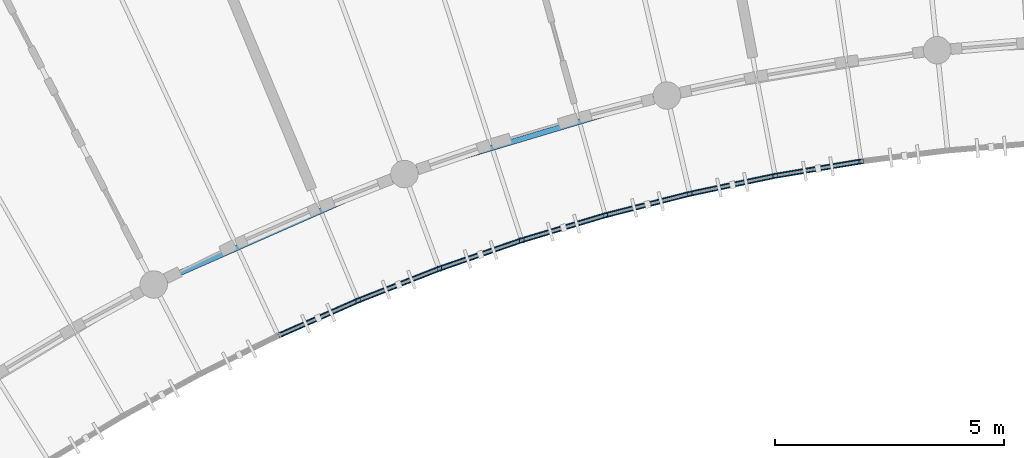
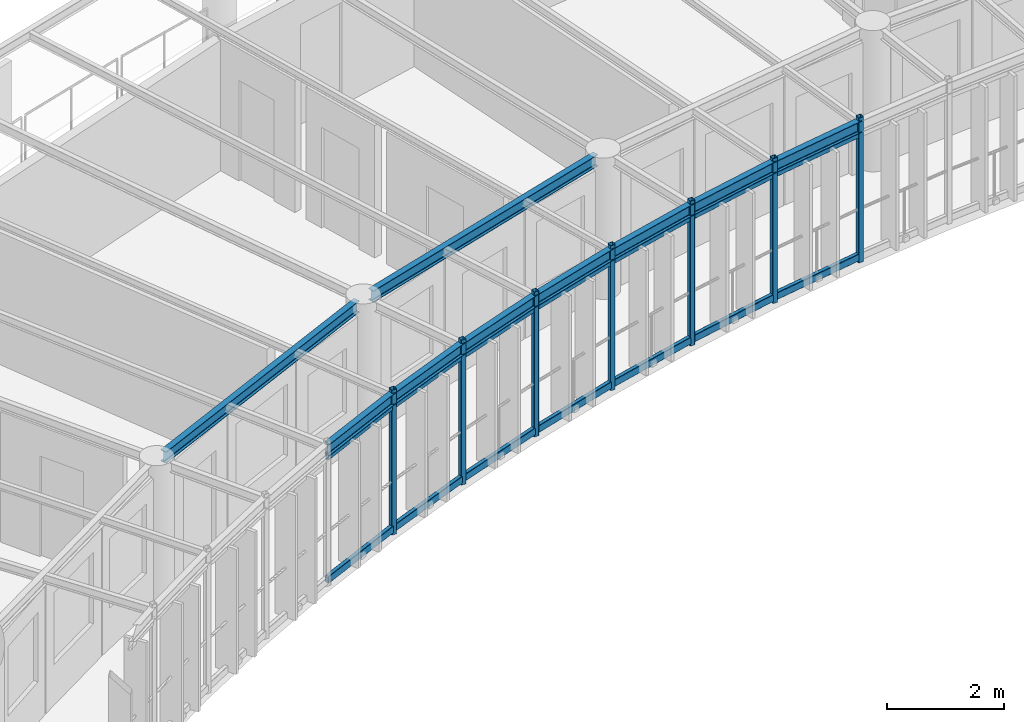
# One storey, part 28 of 100: 21 members, 9 beams.
"""IFC4 building model written with IfcOpenShell, lengths in metres."""

from ifc_helpers import new_model, si_unit, direction, frame, origin, origin_2d, place, context, subcontext, project, spatial, hollow_rectangle, i_section, extrude, material, material_profile, profile_set, type_object, element, save


model = new_model("IFC4")

# Units and contexts
model_context = context("Model", 3, precision=1e-05, world=origin(), true_north=direction((0.0, 1.0)))
body_context = subcontext(model_context, "Body", "Model", "MODEL_VIEW")
ifc_project = project(units=[si_unit("LENGTHUNIT", "METRE"), si_unit("AREAUNIT", "SQUARE_METRE"), si_unit("VOLUMEUNIT", "CUBIC_METRE"), si_unit("PLANEANGLEUNIT", "RADIAN"), si_unit("MASSUNIT", "GRAM", prefix="KILO"), si_unit("POWERUNIT", "WATT"), si_unit("THERMODYNAMICTEMPERATUREUNIT", "KELVIN")], contexts=[model_context])

# Site, building, storey
site_placement = place(None, origin())
site = spatial("IfcSite", under=ifc_project, at=site_placement, CompositionType="ELEMENT")
building_placement = place(site_placement, origin())
building = spatial("IfcBuilding", under=site, at=building_placement, Name="Ruvembo Vaulted Housing Court", CompositionType="ELEMENT")
storey_placement = place(building_placement, frame((0.0, 0.0, 14.10009765625)))
storey = spatial("IfcBuildingStorey", under=building, at=storey_placement, Name="L04", CompositionType="ELEMENT", Elevation=14.10009765625)

# Beams
ifc_material = material(Name="Steel S355J2", Category="steel")
ifc_material_profile_1 = material_profile(ifc_material, i_section(OverallWidth=0.1201171875, OverallDepth=0.239990234375, WebThickness=0.006103515625, FlangeThickness=0.009765625, FilletRadius=0.014892578125, at=origin_2d()), Name="IPE 240")
ifc_profile_set_1 = profile_set([ifc_material_profile_1], Name="Steel S355J2")
beam_type = type_object("IfcBeamType", Name="BM-ST-IPE240", PredefinedType="BEAM", material=ifc_profile_set_1)
for number, where, z_axis, x_axis, name in (
    (1, (95.12060546875, 92.71044921875, 2.822021484375), (0.915067075534, 0.403301682706, 0.0), (-0.403301682706, 0.915067075534, 0.0), "Scoop SC3 L04 Chord Girder F3"),
    (2, (100.594970703125, 95.097412109375, 2.822021484375), (0.958081777403, 0.28649486524, 0.0), (-0.28649486524, 0.958081777403, 0.0), "Scoop SC3 L04 Chord Girder F6"),
):
    element("IfcBeam", number, at=place(storey_placement, frame(where, z_axis=z_axis, x_axis=x_axis)), inside=storey, type_object=beam_type, Name=name, PredefinedType="BEAM", context=body_context, shape_type="SweptSolid", body=[
        extrude(i_section(OverallWidth=0.1201171875, OverallDepth=0.239990234375, WebThickness=0.006103515625, FlangeThickness=0.009765625, FilletRadius=0.014892578125, at=origin_2d()), origin(), (0.0, 0.0, 1.0), 5.593505859375),
    ])
for number, where, z_axis, x_axis, name in (
    (3, (97.663818359375, 91.51806640625, 2.81982421875), (0.91507815309, 0.403276547467, 0.0), (-0.403276547467, 0.91507815309, 0.0), "Scoop SC3 L04 Balcony Edge Spandrel 4"),
    (4, (99.4033203125, 92.28466796875, 2.81982421875), (0.931005720133, 0.365004587752, 0.0), (-0.365004587752, 0.931005720133, 0.0), "Scoop SC3 L04 Balcony Edge Spandrel 5"),
):
    element("IfcBeam", number, at=place(storey_placement, frame(where, z_axis=z_axis, x_axis=x_axis)), inside=storey, type_object=beam_type, Name=name, PredefinedType="BEAM", context=body_context, shape_type="SweptSolid", body=[
        extrude(i_section(OverallWidth=0.1201171875, OverallDepth=0.239990234375, WebThickness=0.006103515625, FlangeThickness=0.009765625, FilletRadius=0.014892578125, at=origin_2d()), origin(), (0.0, 0.0, 1.0), 1.90087890625),
    ])
beam_1_placement = place(storey_placement, frame((101.173095703125, 92.978515625, 2.81982421875), z_axis=(0.945357969834, 0.326034214264, 0.0), x_axis=(-0.326034214264, 0.945357969834, 0.0)))
element("IfcBeam", 5, at=beam_1_placement, inside=storey, type_object=beam_type, Name="Scoop SC3 L04 Balcony Edge Spandrel 6", PredefinedType="BEAM", context=body_context, shape_type="SweptSolid", body=[
    extrude(i_section(OverallWidth=0.1201171875, OverallDepth=0.239990234375, WebThickness=0.006103515625, FlangeThickness=0.009765625, FilletRadius=0.014892578125, at=origin_2d()), origin(), (0.0, 0.0, 1.0), 1.9013671875),
])
for number, where, z_axis, x_axis, name in (
    (6, (102.970458984375, 93.598388671875, 2.81982421875), (0.958108609181, 0.286405120439, 0.0), (-0.286405120439, 0.958108609181, 0.0), "Scoop SC3 L04 Balcony Edge Spandrel 7"),
    (7, (104.791748046875, 94.142822265625, 2.81982421875), (0.969121730429, 0.246582788553, 0.0), (-0.246582788553, 0.969121730429, 0.0), "Scoop SC3 L04 Balcony Edge Spandrel 8"),
):
    element("IfcBeam", number, at=place(storey_placement, frame(where, z_axis=z_axis, x_axis=x_axis)), inside=storey, type_object=beam_type, Name=name, PredefinedType="BEAM", context=body_context, shape_type="SweptSolid", body=[
        extrude(i_section(OverallWidth=0.1201171875, OverallDepth=0.239990234375, WebThickness=0.006103515625, FlangeThickness=0.009765625, FilletRadius=0.014892578125, at=origin_2d()), origin(), (0.0, 0.0, 1.0), 1.90087890625),
    ])
beam_2_placement = place(storey_placement, frame((106.634033203125, 94.611572265625, 2.81982421875), z_axis=(0.978529342624, 0.206107558387, 0.0), x_axis=(-0.206107558387, 0.978529342624, 0.0)))
element("IfcBeam", 8, at=beam_2_placement, inside=storey, type_object=beam_type, Name="Scoop SC3 L04 Balcony Edge Spandrel 9", PredefinedType="BEAM", context=body_context, shape_type="SweptSolid", body=[
    extrude(i_section(OverallWidth=0.1201171875, OverallDepth=0.239990234375, WebThickness=0.006103515625, FlangeThickness=0.009765625, FilletRadius=0.014892578125, at=origin_2d()), origin(), (0.0, 0.0, 1.0), 1.901123046875),
])
beam_3_placement = place(storey_placement, frame((108.494384765625, 95.00341796875, 2.81982421875), z_axis=(0.986265186139, 0.165169557153, 0.0), x_axis=(-0.165169557153, 0.986265186139, 0.0)))
element("IfcBeam", 9, at=beam_3_placement, inside=storey, type_object=beam_type, Name="Scoop SC3 L04 Balcony Edge Spandrel 10", PredefinedType="BEAM", context=body_context, shape_type="SweptSolid", body=[
    extrude(i_section(OverallWidth=0.1201171875, OverallDepth=0.239990234375, WebThickness=0.006103515625, FlangeThickness=0.009765625, FilletRadius=0.014892578125, at=origin_2d()), origin(), (0.0, 0.0, 1.0), 1.90087890625),
])

# Members
ifc_material_profile_2 = material_profile(ifc_material, hollow_rectangle(XDim=0.06005859375, YDim=0.1201171875, WallThickness=0.0048828125, InnerFilletRadius=0.0048828125, OuterFilletRadius=0.010009765625, at=origin_2d()), Name="RHS 120x60x5")
ifc_profile_set_2 = profile_set([ifc_material_profile_2], Name="Steel S355J2")
member_type_1 = type_object("IfcMemberType", Name="MEM-CAR-RHS120", PredefinedType="CHORD", material=ifc_profile_set_2)
for number, where, z_axis, x_axis, name in (
    (10, (97.663818359375, 91.51806640625, 2.642822265625), (0.91507815309, 0.403276547467, 0.0), (-0.403276547467, 0.91507815309, 0.0), "Scoop SC3 L04 Upper Louvre Carrier Rail 4"),
    (11, (99.4033203125, 92.28466796875, 2.642822265625), (0.931005720133, 0.365004587752, 0.0), (-0.365004587752, 0.931005720133, 0.0), "Scoop SC3 L04 Upper Louvre Carrier Rail 5"),
):
    element("IfcMember", number, at=place(storey_placement, frame(where, z_axis=z_axis, x_axis=x_axis)), inside=storey, type_object=member_type_1, Name=name, PredefinedType="CHORD", context=body_context, shape_type="SweptSolid", body=[
        extrude(hollow_rectangle(XDim=0.06005859375, YDim=0.1201171875, WallThickness=0.0048828125, InnerFilletRadius=0.0048828125, OuterFilletRadius=0.010009765625, at=origin_2d()), origin(), (0.0, 0.0, 1.0), 1.90087890625),
    ])
member_1_placement = place(storey_placement, frame((101.173095703125, 92.978515625, 2.642822265625), z_axis=(0.945357969834, 0.326034214264, 0.0), x_axis=(-0.326034214264, 0.945357969834, 0.0)))
element("IfcMember", 12, at=member_1_placement, inside=storey, type_object=member_type_1, Name="Scoop SC3 L04 Upper Louvre Carrier Rail 6", PredefinedType="CHORD", context=body_context, shape_type="SweptSolid", body=[
    extrude(hollow_rectangle(XDim=0.06005859375, YDim=0.1201171875, WallThickness=0.0048828125, InnerFilletRadius=0.0048828125, OuterFilletRadius=0.010009765625, at=origin_2d()), origin(), (0.0, 0.0, 1.0), 1.9013671875),
])
for number, where, z_axis, x_axis, name in (
    (13, (102.970458984375, 93.598388671875, 2.642822265625), (0.958108609181, 0.286405120439, 0.0), (-0.286405120439, 0.958108609181, 0.0), "Scoop SC3 L04 Upper Louvre Carrier Rail 7"),
    (14, (104.791748046875, 94.142822265625, 2.642822265625), (0.969121730429, 0.246582788553, 0.0), (-0.246582788553, 0.969121730429, 0.0), "Scoop SC3 L04 Upper Louvre Carrier Rail 8"),
):
    element("IfcMember", number, at=place(storey_placement, frame(where, z_axis=z_axis, x_axis=x_axis)), inside=storey, type_object=member_type_1, Name=name, PredefinedType="CHORD", context=body_context, shape_type="SweptSolid", body=[
        extrude(hollow_rectangle(XDim=0.06005859375, YDim=0.1201171875, WallThickness=0.0048828125, InnerFilletRadius=0.0048828125, OuterFilletRadius=0.010009765625, at=origin_2d()), origin(), (0.0, 0.0, 1.0), 1.90087890625),
    ])
member_2_placement = place(storey_placement, frame((106.634033203125, 94.611572265625, 2.642822265625), z_axis=(0.978529342624, 0.206107558387, 0.0), x_axis=(-0.206107558387, 0.978529342624, 0.0)))
element("IfcMember", 15, at=member_2_placement, inside=storey, type_object=member_type_1, Name="Scoop SC3 L04 Upper Louvre Carrier Rail 9", PredefinedType="CHORD", context=body_context, shape_type="SweptSolid", body=[
    extrude(hollow_rectangle(XDim=0.06005859375, YDim=0.1201171875, WallThickness=0.0048828125, InnerFilletRadius=0.0048828125, OuterFilletRadius=0.010009765625, at=origin_2d()), origin(), (0.0, 0.0, 1.0), 1.901123046875),
])
member_3_placement = place(storey_placement, frame((108.494384765625, 95.00341796875, 2.642822265625), z_axis=(0.986265186139, 0.165169557153, 0.0), x_axis=(-0.165169557153, 0.986265186139, 0.0)))
element("IfcMember", 16, at=member_3_placement, inside=storey, type_object=member_type_1, Name="Scoop SC3 L04 Upper Louvre Carrier Rail 10", PredefinedType="CHORD", context=body_context, shape_type="SweptSolid", body=[
    extrude(hollow_rectangle(XDim=0.06005859375, YDim=0.1201171875, WallThickness=0.0048828125, InnerFilletRadius=0.0048828125, OuterFilletRadius=0.010009765625, at=origin_2d()), origin(), (0.0, 0.0, 1.0), 1.90087890625),
])
ifc_material_profile_3 = material_profile(ifc_material, hollow_rectangle(XDim=0.080078125, YDim=0.14990234375, WallThickness=0.00634765625, InnerFilletRadius=0.00634765625, OuterFilletRadius=0.0126953125, at=origin_2d()), Name="RHS 150x80x6.3")
ifc_profile_set_3 = profile_set([ifc_material_profile_3], Name="Steel S355J2")
member_type_2 = type_object("IfcMemberType", Name="MEM-CAR-RHS150", PredefinedType="CHORD", material=ifc_profile_set_3)
for number, where, z_axis, x_axis, name in (
    (17, (97.663818359375, 91.51806640625, 0.094970703125), (0.91507815309, 0.403276547467, 0.0), (-0.403276547467, 0.91507815309, 0.0), "Scoop SC3 L04 Lower Louvre Carrier Rail 4"),
    (18, (99.4033203125, 92.28466796875, 0.094970703125), (0.931005720133, 0.365004587752, 0.0), (-0.365004587752, 0.931005720133, 0.0), "Scoop SC3 L04 Lower Louvre Carrier Rail 5"),
):
    element("IfcMember", number, at=place(storey_placement, frame(where, z_axis=z_axis, x_axis=x_axis)), inside=storey, type_object=member_type_2, Name=name, PredefinedType="CHORD", context=body_context, shape_type="SweptSolid", body=[
        extrude(hollow_rectangle(XDim=0.080078125, YDim=0.14990234375, WallThickness=0.00634765625, InnerFilletRadius=0.00634765625, OuterFilletRadius=0.0126953125, at=origin_2d()), origin(), (0.0, 0.0, 1.0), 1.90087890625),
    ])
member_4_placement = place(storey_placement, frame((101.173095703125, 92.978515625, 0.094970703125), z_axis=(0.945357969834, 0.326034214264, 0.0), x_axis=(-0.326034214264, 0.945357969834, 0.0)))
element("IfcMember", 19, at=member_4_placement, inside=storey, type_object=member_type_2, Name="Scoop SC3 L04 Lower Louvre Carrier Rail 6", PredefinedType="CHORD", context=body_context, shape_type="SweptSolid", body=[
    extrude(hollow_rectangle(XDim=0.080078125, YDim=0.14990234375, WallThickness=0.00634765625, InnerFilletRadius=0.00634765625, OuterFilletRadius=0.0126953125, at=origin_2d()), origin(), (0.0, 0.0, 1.0), 1.9013671875),
])
for number, where, z_axis, x_axis, name in (
    (20, (102.970458984375, 93.598388671875, 0.094970703125), (0.958108609181, 0.286405120439, 0.0), (-0.286405120439, 0.958108609181, 0.0), "Scoop SC3 L04 Lower Louvre Carrier Rail 7"),
    (21, (104.791748046875, 94.142822265625, 0.094970703125), (0.969121730429, 0.246582788553, 0.0), (-0.246582788553, 0.969121730429, 0.0), "Scoop SC3 L04 Lower Louvre Carrier Rail 8"),
):
    element("IfcMember", number, at=place(storey_placement, frame(where, z_axis=z_axis, x_axis=x_axis)), inside=storey, type_object=member_type_2, Name=name, PredefinedType="CHORD", context=body_context, shape_type="SweptSolid", body=[
        extrude(hollow_rectangle(XDim=0.080078125, YDim=0.14990234375, WallThickness=0.00634765625, InnerFilletRadius=0.00634765625, OuterFilletRadius=0.0126953125, at=origin_2d()), origin(), (0.0, 0.0, 1.0), 1.90087890625),
    ])
member_5_placement = place(storey_placement, frame((106.634033203125, 94.611572265625, 0.094970703125), z_axis=(0.978529342624, 0.206107558387, 0.0), x_axis=(-0.206107558387, 0.978529342624, 0.0)))
element("IfcMember", 22, at=member_5_placement, inside=storey, type_object=member_type_2, Name="Scoop SC3 L04 Lower Louvre Carrier Rail 9", PredefinedType="CHORD", context=body_context, shape_type="SweptSolid", body=[
    extrude(hollow_rectangle(XDim=0.080078125, YDim=0.14990234375, WallThickness=0.00634765625, InnerFilletRadius=0.00634765625, OuterFilletRadius=0.0126953125, at=origin_2d()), origin(), (0.0, 0.0, 1.0), 1.901123046875),
])
member_6_placement = place(storey_placement, frame((108.494384765625, 95.00341796875, 0.094970703125), z_axis=(0.986265186139, 0.165169557153, 0.0), x_axis=(-0.165169557153, 0.986265186139, 0.0)))
element("IfcMember", 23, at=member_6_placement, inside=storey, type_object=member_type_2, Name="Scoop SC3 L04 Lower Louvre Carrier Rail 10", PredefinedType="CHORD", context=body_context, shape_type="SweptSolid", body=[
    extrude(hollow_rectangle(XDim=0.080078125, YDim=0.14990234375, WallThickness=0.00634765625, InnerFilletRadius=0.00634765625, OuterFilletRadius=0.0126953125, at=origin_2d()), origin(), (0.0, 0.0, 1.0), 1.90087890625),
])
ifc_material_profile_4 = material_profile(ifc_material, hollow_rectangle(XDim=0.10009765625, YDim=0.10009765625, WallThickness=0.00634765625, InnerFilletRadius=0.00634765625, OuterFilletRadius=0.0126953125, at=origin_2d()), Name="SHS 100x100x6.3")
ifc_profile_set_4 = profile_set([ifc_material_profile_4], Name="Steel S355J2")
member_type_3 = type_object("IfcMemberType", Name="MEM-FRM-SHS100", PredefinedType="STRUT", material=ifc_profile_set_4)
for number, where, z_axis, x_axis, name in (
    (24, (99.4033203125, 92.28466796875, -0.01513671875), (0.0, 0.0, 1.0), (1.0, 0.0, 0.0), "Scoop SC3 L04 Louvre Frame Post 5"),
    (25, (101.173095703125, 92.978515625, -0.01513671875), (0.0, 0.0, 1.0), (1.0, 0.0, 0.0), "Scoop SC3 L04 Louvre Frame Post 6"),
    (26, (102.970458984375, 93.598388671875, -0.01513671875), (0.0, 0.0, 1.0), (1.0, 0.0, 0.0), "Scoop SC3 L04 Louvre Frame Post 7"),
    (27, (104.791748046875, 94.142822265625, -0.01513671875), (0.0, 0.0, 1.0), (1.0, 0.0, 0.0), "Scoop SC3 L04 Louvre Frame Post 8"),
    (28, (106.634033203125, 94.611572265625, -0.01513671875), (0.0, 0.0, 1.0), (1.0, 0.0, 0.0), "Scoop SC3 L04 Louvre Frame Post 9"),
    (29, (108.494384765625, 95.00341796875, -0.01513671875), (0.0, 0.0, 1.0), (1.0, 0.0, 0.0), "Scoop SC3 L04 Louvre Frame Post 10"),
    (30, (110.369140625, 95.3173828125, -0.01513671875), (0.0, 0.0, 1.0), (1.0, 0.0, 0.0), "Scoop SC3 L04 Louvre Frame Post 11"),
):
    element("IfcMember", number, at=place(storey_placement, frame(where, z_axis=z_axis, x_axis=x_axis)), inside=storey, type_object=member_type_3, Name=name, PredefinedType="STRUT", context=body_context, shape_type="SweptSolid", body=[
        extrude(hollow_rectangle(XDim=0.10009765625, YDim=0.10009765625, WallThickness=0.00634765625, InnerFilletRadius=0.00634765625, OuterFilletRadius=0.0126953125, at=origin_2d()), origin(), (0.0, 0.0, 1.0), 3.02294921875),
    ])

save(model, "model.ifc")
